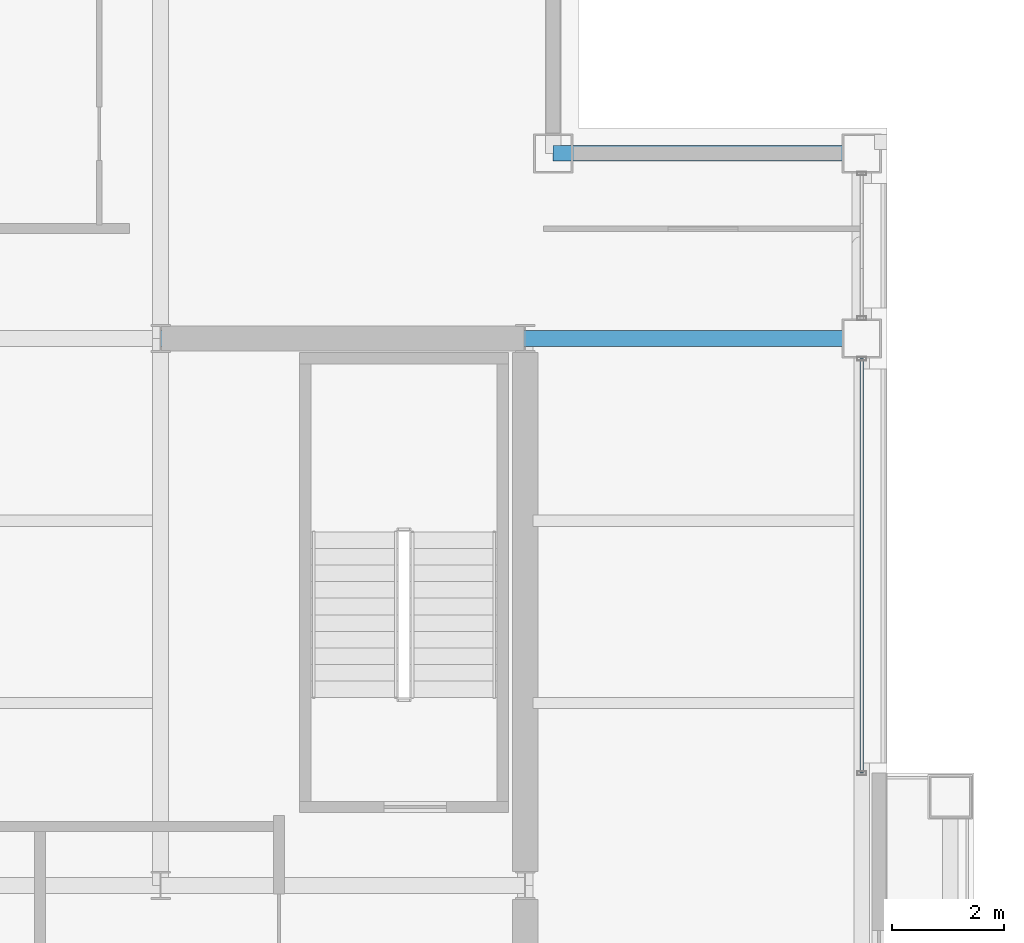
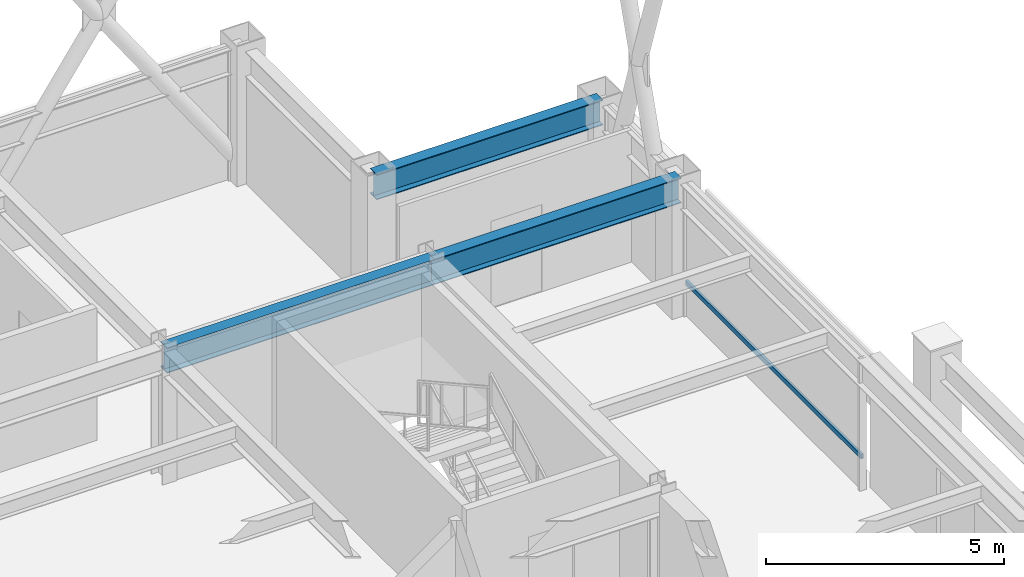
# One storey, part 19 of 33: 3 beams, 1 member, 1 element without a shape of its own.
"""IFC4 building model written with IfcOpenShell, lengths in metres."""

from ifc_helpers import new_model, si_unit, direction, frame, origin, origin_2d, place, context, subcontext, project, spatial, hollow_rectangle, i_section, extrude, material, layer, layer_set, material_profile, profile_set, type_object, element, aggregate, save


model = new_model("IFC4")

# Units and contexts
model_context = context("Model", 3, precision=1e-05, world=origin(), true_north=direction((0.0, 1.0)))
body_context = subcontext(model_context, "Body", "Model", "MODEL_VIEW")
ifc_project = project(units=[si_unit("LENGTHUNIT", "METRE"), si_unit("AREAUNIT", "SQUARE_METRE"), si_unit("VOLUMEUNIT", "CUBIC_METRE"), si_unit("PLANEANGLEUNIT", "RADIAN"), si_unit("MASSUNIT", "GRAM", prefix="KILO")], contexts=[model_context])

# Site, building, storey
site_placement = place(None, origin())
site = spatial("IfcSite", under=ifc_project, at=site_placement, CompositionType="ELEMENT")
building_placement = place(site_placement, origin())
building = spatial("IfcBuilding", under=site, at=building_placement, Name="Brelmoor Portico Tower", CompositionType="ELEMENT")
storey_placement = place(building_placement, frame((0.0, 0.0, 183.89990234375)))
storey = spatial("IfcBuildingStorey", under=building, at=storey_placement, Name="L48", CompositionType="ELEMENT", Elevation=183.89990234375)

# Beams
ifc_material_1 = material(Name="Steel Q355B", Category="steel")
ifc_material_profile_1 = material_profile(ifc_material_1, i_section(OverallWidth=0.280029296875, OverallDepth=0.64990234375, WebThickness=0.012939453125, FlangeThickness=0.02197265625, at=origin_2d()), Name="HN 650x280x13x22")
ifc_profile_set_1 = profile_set([ifc_material_profile_1], Name="Steel Q355B")
beam_type_1 = type_object("IfcBeamType", Name="BM-PG-650", PredefinedType="BEAM", material=ifc_profile_set_1)
beam_1_placement = place(storey_placement, frame((8.050048828125, 9.75, 3.0751953125), z_axis=(1.0, 0.0, 0.0), x_axis=(0.0, 1.0, 0.0)))
element("IfcBeam", 1, at=beam_1_placement, inside=storey, type_object=beam_type_1, Name="L48 Primary Floor Girder PG-22", PredefinedType="BEAM", context=body_context, shape_type="SweptSolid", body=[
    extrude(i_section(OverallWidth=0.280029296875, OverallDepth=0.64990234375, WebThickness=0.012939453125, FlangeThickness=0.02197265625, at=origin_2d()), origin(), (0.0, 0.0, 1.0), 6.5),
])
beam_2_placement = place(storey_placement, frame((14.550048828125, 9.75, 3.0751953125), z_axis=(1.0, 0.0, 0.0), x_axis=(0.0, 1.0, 0.0)))
element("IfcBeam", 2, at=beam_2_placement, inside=storey, type_object=beam_type_1, Name="L48 Primary Floor Girder PG-23", PredefinedType="BEAM", context=body_context, shape_type="SweptSolid", body=[
    extrude(i_section(OverallWidth=0.280029296875, OverallDepth=0.64990234375, WebThickness=0.012939453125, FlangeThickness=0.02197265625, at=origin_2d()), origin(), (0.0, 0.0, 1.0), 6.0),
])
ifc_material_profile_2 = material_profile(ifc_material_1, i_section(OverallWidth=0.280029296875, OverallDepth=0.64990234375, WebThickness=0.012939453125, FlangeThickness=0.02197265625, at=origin_2d()), Name="HN 650x280x13x22")
ifc_profile_set_2 = profile_set([ifc_material_profile_2], Name="Steel Q355B")
beam_type_2 = type_object("IfcBeamType", Name="BM-SP-650", PredefinedType="SPANDREL", material=ifc_profile_set_2)
beam_3_placement = place(storey_placement, frame((15.050048828125, 13.050048828125, 3.0751953125), z_axis=(1.0, 0.0, 0.0), x_axis=(0.0, 1.0, 0.0)))
element("IfcBeam", 3, at=beam_3_placement, inside=storey, type_object=beam_type_2, Name="L48 Perimeter Spandrel Beam SP-07", PredefinedType="SPANDREL", context=body_context, shape_type="SweptSolid", body=[
    extrude(i_section(OverallWidth=0.280029296875, OverallDepth=0.64990234375, WebThickness=0.012939453125, FlangeThickness=0.02197265625, at=origin_2d()), origin(), (0.0, 0.0, 1.0), 5.5),
])

# Curtain wall, member
ifc_material_2 = material(Name="Anodised Aluminium Alloy 6063-T6", Category="aluminium")
ifc_layer = layer(ifc_material_2, 0.179931640625)
ifc_layer_set = layer_set([ifc_layer], Name="Anodised Aluminium Alloy 6063-T6")
curtain_wall_type = type_object("IfcCurtainWallType", Name="CW-TOWER-Z3", PredefinedType="NOTDEFINED", material=ifc_layer_set)
curtain_wall_placement = place(storey_placement, origin())
curtain_wall = element("IfcCurtainWall", 4, at=curtain_wall_placement, inside=storey, type_object=curtain_wall_type, Name="L48 Curtain Wall CW-L48-4R-1", PredefinedType="NOTDEFINED")
ifc_material_profile_3 = material_profile(ifc_material_2, hollow_rectangle(XDim=0.06005859375, YDim=0.125, WallThickness=0.00341796875, at=origin_2d()), Name="ALU TRANSOM 60x125")
ifc_profile_set_3 = profile_set([ifc_material_profile_3], Name="Anodised Aluminium Alloy 6063-T6")
member_type = type_object("IfcMemberType", Name="MB-CW-TRAN-125", PredefinedType="USERDEFINED", material=ifc_profile_set_3)
member_placement = place(storey_placement, frame((20.550048828125, 2.0, 0.85009765625), z_axis=(0.0, 1.0, 0.0), x_axis=(-1.0, 0.0, 0.0)))
member = element("IfcMember", 5, at=member_placement, type_object=member_type, Name="CW-L48-4R-1 Transom 1-00", ObjectType="TRANSOM", PredefinedType="USERDEFINED", context=body_context, shape_type="SweptSolid", body=[
    extrude(hollow_rectangle(XDim=0.06005859375, YDim=0.125, WallThickness=0.00341796875, at=origin_2d()), origin(), (0.0, 0.0, 1.0), 7.389892578125),
])
aggregate(curtain_wall, [member])

save(model, "model.ifc")
